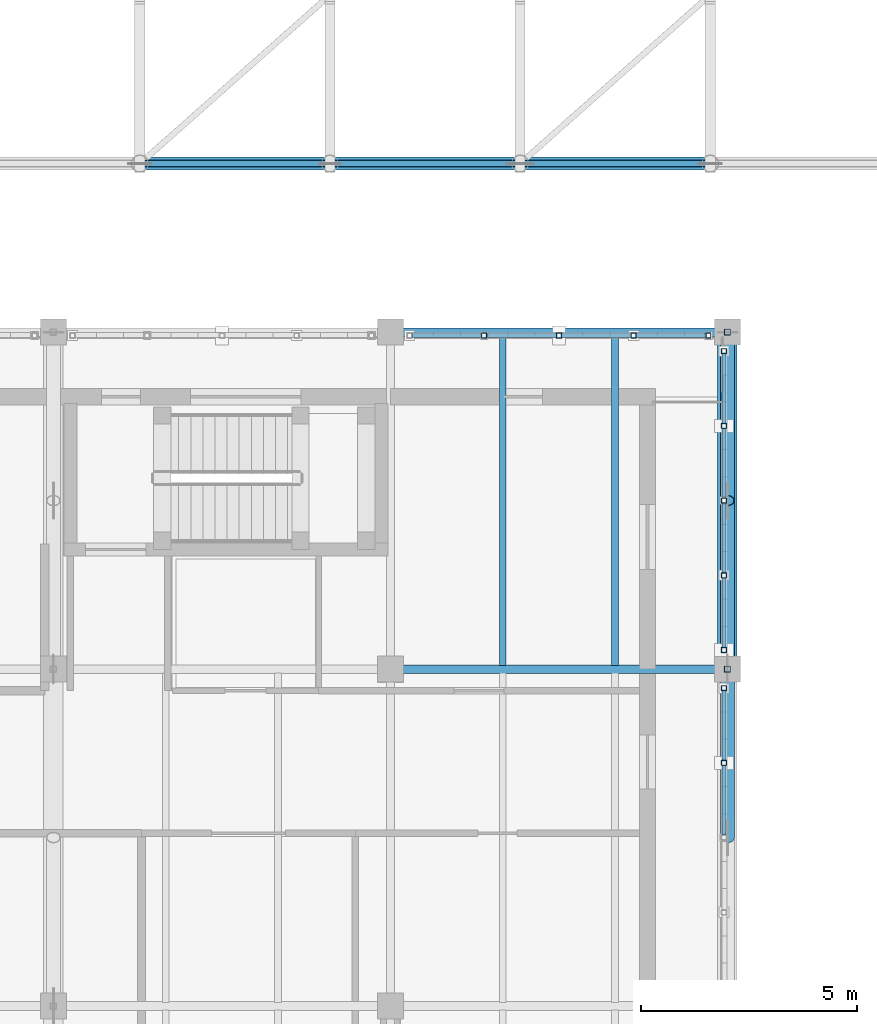
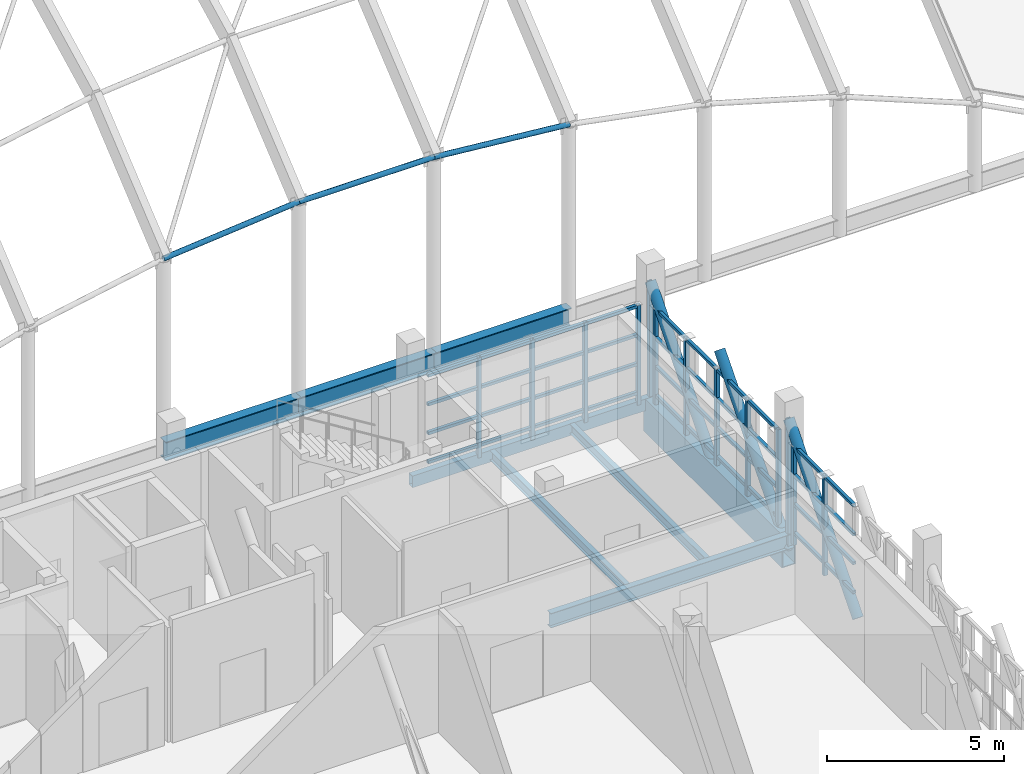
# One storey, part 44 of 119: 59 members, 8 beams.
"""IFC4 building model written with IfcOpenShell, lengths in metres."""

import ifcopenshell
import ifcopenshell.guid

model = None  # the IFC model being written
_history = None  # IfcOwnerHistory: only IFC2X3 demands one
_inside = {}  # id of a spatial element -> (the spatial element, [elements in it])
_under = {}  # id of a project, library or spatial element -> (it, [spatial elements below it])
_declared = {}  # id of a project -> (the project, [libraries it declares])
_typed = {}  # id of a type object -> (the type object, [elements of that type])
_made_of = {}  # id of a material, layer set ... -> (it, [elements and type objects made of it])


def new_model(schema):
    """Start an empty IFC model of exactly this schema.

    Asked for "IFC4X3", IfcOpenShell would pick the latest addendum, in which some entities
    have other attributes; the version numbers below select the first issue.
    IFC2X3 requires an IfcOwnerHistory on every rooted entity: one is made here for all.
    """
    global model, _history
    if schema == "IFC4X3":
        model = ifcopenshell.file(schema_version=(4, 3, 0, 0))
    else:
        model = ifcopenshell.file(schema=schema)
    _inside.clear()
    _under.clear()
    _declared.clear()
    _typed.clear()
    _made_of.clear()
    _history = None
    if model.schema == "IFC2X3":
        org = make("IfcOrganization", Name="unknown")
        user = make(
            "IfcPersonAndOrganization",
            ThePerson=make("IfcPerson", FamilyName="unknown"),
            TheOrganization=org,
        )
        app = make(
            "IfcApplication",
            ApplicationDeveloper=org,
            Version="unknown",
            ApplicationFullName="unknown",
            ApplicationIdentifier="unknown",
        )
        _history = make(
            "IfcOwnerHistory",
            OwningUser=user,
            OwningApplication=app,
            ChangeAction="ADDED",
            CreationDate=0,
        )
    return model


def make(cls, **values):
    """One entity of the class cls with the attributes given. An attribute that is None is left unset."""
    return model.create_entity(
        cls, **{name: value for name, value in values.items() if value is not None}
    )


def rooted(cls, **values):
    """An entity with a GlobalId (a new one), such as an element, a storey or a relation."""
    return make(cls, GlobalId=ifcopenshell.guid.new(), OwnerHistory=_history, **values)


def si_unit(unit_type, name, prefix=None):
    """IfcSIUnit, for example si_unit("LENGTHUNIT", "METRE", prefix="MILLI")."""
    return make("IfcSIUnit", UnitType=unit_type, Prefix=prefix, Name=name)


def assignment(units):
    """IfcUnitAssignment: the units of a project."""
    return None if units is None else make("IfcUnitAssignment", Units=units)


def point(xyz):
    """IfcCartesianPoint."""
    return None if xyz is None else make("IfcCartesianPoint", Coordinates=xyz)


def direction(xyz):
    """IfcDirection."""
    return None if xyz is None else make("IfcDirection", DirectionRatios=xyz)


def frame(location, z_axis=None, x_axis=None):
    """IfcAxis2Placement3D, a coordinate frame: its origin and axes. An axis left out is left unset."""
    return make(
        "IfcAxis2Placement3D",
        Location=point(location),
        Axis=direction(z_axis),
        RefDirection=direction(x_axis),
    )


def frame_2d(location, x_axis=None):
    """IfcAxis2Placement2D, a coordinate frame in the plane: its origin and x axis."""
    return make(
        "IfcAxis2Placement2D", Location=point(location), RefDirection=direction(x_axis)
    )


def origin():
    """The frame at (0, 0, 0) with its axes left unset."""
    return frame((0.0, 0.0, 0.0))


def origin_2d():
    """The frame at (0, 0) in the plane with its x axis left unset."""
    return frame_2d((0.0, 0.0))


def place(relative_to, where):
    """IfcLocalPlacement: puts the frame where relative to a parent placement (None: the world)."""
    return make(
        "IfcLocalPlacement", PlacementRelTo=relative_to, RelativePlacement=where
    )


def context(
    kind, dimensions, precision=None, world=None, true_north=None, identifier=None
):
    """IfcGeometricRepresentationContext, for example the 3D "Model" context."""
    return make(
        "IfcGeometricRepresentationContext",
        ContextIdentifier=identifier,
        ContextType=kind,
        CoordinateSpaceDimension=dimensions,
        Precision=precision,
        WorldCoordinateSystem=world,
        TrueNorth=true_north,
    )


def subcontext(parent, identifier, kind, view, scale=None):
    """IfcGeometricRepresentationSubContext, for example "Body" below "Model"."""
    return make(
        "IfcGeometricRepresentationSubContext",
        ContextIdentifier=identifier,
        ContextType=kind,
        ParentContext=parent,
        TargetScale=scale,
        TargetView=view,
    )


def project(units=None, contexts=None):
    """IfcProject with its units and contexts."""
    return rooted(
        "IfcProject",
        Name="project",
        RepresentationContexts=contexts,
        UnitsInContext=assignment(units),
    )


def spatial(cls, under=None, at=None, **own):
    """A site, building, storey or space (cls), placed at a placement, below another one or the project."""
    s = rooted(cls, ObjectPlacement=at, **own)
    if under is not None:
        _under.setdefault(under.id(), (under, []))[1].append(s)
    return s


def profile(cls, at=None, kind="AREA", **sizes):
    """A parametric profile (cls). Its sizes go by their IFC names, for example OverallWidth=200.0."""
    return make(cls, ProfileType=kind, Position=at, **sizes)


def hollow_rectangle(**sizes):
    """IfcRectangleHollowProfileDef."""
    return profile("IfcRectangleHollowProfileDef", **sizes)


def hollow_circle(**sizes):
    """IfcCircleHollowProfileDef."""
    return profile("IfcCircleHollowProfileDef", **sizes)


def i_section(**sizes):
    """IfcIShapeProfileDef."""
    return profile("IfcIShapeProfileDef", **sizes)


def extrude(swept, where, along, depth):
    """IfcExtrudedAreaSolid: the profile swept, set in the frame where, extruded along a direction by depth."""
    return make(
        "IfcExtrudedAreaSolid",
        SweptArea=swept,
        Position=where,
        ExtrudedDirection=direction(along),
        Depth=depth,
    )


def shape(context_of_items, identifier, shape_type, items):
    """IfcShapeRepresentation: the items that make up one representation, for example the "Body"."""
    return make(
        "IfcShapeRepresentation",
        ContextOfItems=context_of_items,
        RepresentationIdentifier=identifier,
        RepresentationType=shape_type,
        Items=items,
    )


def material(Name=None, Category=None):
    """IfcMaterial."""
    return make("IfcMaterial", Name=Name, Category=Category)


def material_profile(
    of_material, cross_section, Name=None, Category=None, Priority=None
):
    """IfcMaterialProfile: a cross section and its material."""
    return make(
        "IfcMaterialProfile",
        Name=Name,
        Material=of_material,
        Profile=cross_section,
        Priority=Priority,
        Category=Category,
    )


def profile_set(profiles, Name=None, composite=None):
    """IfcMaterialProfileSet."""
    return make(
        "IfcMaterialProfileSet",
        Name=Name,
        MaterialProfiles=profiles,
        CompositeProfile=composite,
    )


def made_of(thing, what):
    """Note that an element or type object is made of a material, layer set ...; save() writes the relation."""
    if what is not None:
        _made_of.setdefault(what.id(), (what, []))[1].append(thing)
    return thing


def type_object(cls, material=None, **own):
    """A type object (cls), such as IfcWallType, which elements share."""
    return made_of(rooted(cls, **own), material)


def element(
    cls,
    number,
    at=None,
    inside=None,
    cuts=None,
    type_object=None,
    material=None,
    context=None,
    identifier="Body",
    shape_type=None,
    held_by="IfcProductDefinitionShape",
    body=None,
    shapes=None,
    **own,
):
    """One element of the class cls, such as IfcWall. Its Tag is "e" and its number.

    at: its placement. inside: the storey or other place that contains it. cuts: it is an
    opening in that element (IfcRelVoidsElement). A single representation is given by context,
    identifier, shape_type and body (its items); several are given by shapes. held_by: the class
    of the entity that holds the representations. save() writes the other relations.
    """
    e = rooted(cls, Tag="e%d" % number, ObjectPlacement=at, **own)
    if body is not None:
        shapes = [shape(context, identifier, shape_type, body)]
    if shapes is not None:
        e.Representation = make(held_by, Representations=shapes)
    if inside is not None:
        _inside.setdefault(inside.id(), (inside, []))[1].append(e)
    if cuts is not None:
        rooted(
            "IfcRelVoidsElement", RelatingBuildingElement=cuts, RelatedOpeningElement=e
        )
    if type_object is not None:
        _typed.setdefault(type_object.id(), (type_object, []))[1].append(e)
    return made_of(e, material)


def aggregate(whole, parts):
    """IfcRelAggregates: a whole, such as a stair, and the parts it consists of."""
    return rooted("IfcRelAggregates", RelatingObject=whole, RelatedObjects=parts)


def save(model, path):
    """Write the relations noted so far, then the file.

    IfcRelAggregates (storeys below a building ...), IfcRelContainedInSpatialStructure (elements
    in a storey), IfcRelDefinesByType, IfcRelAssociatesMaterial and IfcRelDeclares: one each for
    every whole, place, type object, material and project.
    """
    for whole, parts in _under.values():
        aggregate(whole, parts)
    for where, things in _inside.values():
        rooted(
            "IfcRelContainedInSpatialStructure",
            RelatedElements=things,
            RelatingStructure=where,
        )
    for kind, things in _typed.values():
        rooted("IfcRelDefinesByType", RelatedObjects=things, RelatingType=kind)
    for what, things in _made_of.values():
        rooted("IfcRelAssociatesMaterial", RelatedObjects=things, RelatingMaterial=what)
    for by, libraries in _declared.values():
        rooted("IfcRelDeclares", RelatingContext=by, RelatedDefinitions=libraries)
    model.write(path)


model = new_model("IFC4")

# Units and contexts
model_context = context("Model", 3, precision=1e-05, world=origin(), true_north=direction((0.0, 1.0)))
body_context = subcontext(model_context, "Body", "Model", "MODEL_VIEW")
ifc_project = project(units=[si_unit("LENGTHUNIT", "METRE"), si_unit("AREAUNIT", "SQUARE_METRE"), si_unit("VOLUMEUNIT", "CUBIC_METRE"), si_unit("PLANEANGLEUNIT", "RADIAN"), si_unit("MASSUNIT", "GRAM", prefix="KILO")], contexts=[model_context])

# Site, building, storey
site_placement = place(None, origin())
site = spatial("IfcSite", under=ifc_project, at=site_placement, CompositionType="ELEMENT")
building_placement = place(site_placement, origin())
building = spatial("IfcBuilding", under=site, at=building_placement, Name="Celorna Specialist Clinic", CompositionType="ELEMENT")
storey_placement = place(building_placement, frame((0.0, 0.0, 9.60009765625)))
storey = spatial("IfcBuildingStorey", under=building, at=storey_placement, Name="L02", CompositionType="ELEMENT", Elevation=9.60009765625)

# Beams
ifc_material = material(Name="Steel S355", Category="steel")
ifc_material_profile_1 = material_profile(ifc_material, hollow_rectangle(XDim=0.449951171875, YDim=1.14990234375, WallThickness=0.031982421875, at=origin_2d()), Name="BOX 450x1150x32")
ifc_profile_set_1 = profile_set([ifc_material_profile_1], Name="Steel S355")
beam_type_1 = type_object("IfcBeamType", Name="BM-01", PredefinedType="BEAM", material=ifc_profile_set_1)
beam_1_placement = place(storey_placement, frame((85.800048828125, 35.10009765625, -0.835205078125), z_axis=(0.0, 1.0, 0.0), x_axis=(-1.0, 0.0, 0.0)))
element("IfcBeam", 1, at=beam_1_placement, inside=storey, type_object=beam_type_1, Name="Cantilever Pratt truss chord WP-068-WP-069", PredefinedType="BEAM", context=body_context, shape_type="SweptSolid", body=[
    extrude(hollow_rectangle(XDim=0.449951171875, YDim=1.14990234375, WallThickness=0.031982421875, at=origin_2d()), origin(), (0.0, 0.0, 1.0), 7.7998046875),
])
ifc_material_profile_2 = material_profile(ifc_material, i_section(OverallWidth=0.300048828125, OverallDepth=0.64990234375, WebThickness=0.01611328125, FlangeThickness=0.031005859375, at=origin_2d()), Name="HE 650 B")
ifc_profile_set_2 = profile_set([ifc_material_profile_2], Name="Steel S355")
beam_type_2 = type_object("IfcBeamType", Name="BM-03", PredefinedType="BEAM", material=ifc_profile_set_2)
beam_2_placement = place(storey_placement, frame((72.199951171875, 46.800048828125, 0.27490234375), z_axis=(1.0, 0.0, 0.0), x_axis=(0.0, 1.0, 0.0)))
element("IfcBeam", 2, at=beam_2_placement, inside=storey, type_object=beam_type_2, Name="GSH-V1 gridshell perimeter edge ring beam", PredefinedType="BEAM", context=body_context, shape_type="SweptSolid", body=[
    extrude(i_section(OverallWidth=0.300048828125, OverallDepth=0.64990234375, WebThickness=0.01611328125, FlangeThickness=0.031005859375, at=origin_2d()), origin(), (0.0, 0.0, 1.0), 4.400146484375),
])
for number, where, z_axis, x_axis, name in (
    (3, (76.60009765625, 46.800048828125, 0.27490234375), (1.0, 0.0, 0.0), (0.0, 1.0, 0.0), "GSH-V1 gridshell perimeter edge ring beam"),
    (4, (81.0, 46.800048828125, 0.27490234375), (1.0, 0.0, 0.0), (0.0, 1.0, 0.0), "GSH-V1 gridshell perimeter edge ring beam"),
):
    element("IfcBeam", number, at=place(storey_placement, frame(where, z_axis=z_axis, x_axis=x_axis)), inside=storey, type_object=beam_type_2, Name=name, PredefinedType="BEAM", context=body_context, shape_type="SweptSolid", body=[
        extrude(i_section(OverallWidth=0.300048828125, OverallDepth=0.64990234375, WebThickness=0.01611328125, FlangeThickness=0.031005859375, at=origin_2d()), origin(), (0.0, 0.0, 1.0), 4.39990234375),
    ])
ifc_material_profile_3 = material_profile(ifc_material, i_section(OverallWidth=0.199951171875, OverallDepth=0.5, WebThickness=0.01025390625, FlangeThickness=0.01611328125, at=origin_2d()), Name="IPE 500")
ifc_profile_set_3 = profile_set([ifc_material_profile_3], Name="Steel S355")
beam_type_3 = type_object("IfcBeamType", Name="BM-08", PredefinedType="BEAM", material=ifc_profile_set_3)
beam_3_placement = place(storey_placement, frame((78.0, 35.10009765625, -0.510009765625), z_axis=(1.0, 0.0, 0.0), x_axis=(0.0, 1.0, 0.0)))
element("IfcBeam", 5, at=beam_3_placement, inside=storey, type_object=beam_type_3, Name="Primary girder BM-08 #2120", PredefinedType="BEAM", context=body_context, shape_type="SweptSolid", body=[
    extrude(i_section(OverallWidth=0.199951171875, OverallDepth=0.5, WebThickness=0.01025390625, FlangeThickness=0.01611328125, at=origin_2d()), origin(), (0.0, 0.0, 1.0), 7.800048828125),
])
ifc_material_profile_4 = material_profile(ifc_material, i_section(OverallWidth=0.159912109375, OverallDepth=0.330078125, WebThickness=0.007568359375, FlangeThickness=0.011474609375, at=origin_2d()), Name="IPE 330")
ifc_profile_set_4 = profile_set([ifc_material_profile_4], Name="Steel S355")
beam_type_4 = type_object("IfcBeamType", Name="BM-12", PredefinedType="JOIST", material=ifc_profile_set_4)
for number, where, z_axis, x_axis, name in (
    (6, (80.60009765625, 35.18798828125, -0.425048828125), (0.0, 1.0, 0.0), (-1.0, 0.0, 0.0), "Secondary floor joist BM-12 #2158"),
    (7, (83.199951171875, 35.18798828125, -0.425048828125), (0.0, 1.0, 0.0), (-1.0, 0.0, 0.0), "Secondary floor joist BM-12 #2159"),
):
    element("IfcBeam", number, at=place(storey_placement, frame(where, z_axis=z_axis, x_axis=x_axis)), inside=storey, type_object=beam_type_4, Name=name, PredefinedType="JOIST", context=body_context, shape_type="SweptSolid", body=[
        extrude(i_section(OverallWidth=0.159912109375, OverallDepth=0.330078125, WebThickness=0.007568359375, FlangeThickness=0.011474609375, at=origin_2d()), origin(), (0.0, 0.0, 1.0), 7.6240234375),
    ])
ifc_material_profile_5 = material_profile(ifc_material, hollow_rectangle(XDim=0.199951171875, YDim=0.39990234375, WallThickness=0.011962890625, at=origin_2d()), Name="RHS 200x400x12")
ifc_profile_set_5 = profile_set([ifc_material_profile_5], Name="Steel S355")
beam_type_5 = type_object("IfcBeamType", Name="BM-15", PredefinedType="SPANDREL", material=ifc_profile_set_5)
beam_4_placement = place(storey_placement, frame((78.0, 42.89990234375, -0.460205078125), z_axis=(1.0, 0.0, 0.0), x_axis=(0.0, 1.0, 0.0)))
element("IfcBeam", 8, at=beam_4_placement, inside=storey, type_object=beam_type_5, Name="Spandrel beam BM-15 #2124", PredefinedType="SPANDREL", context=body_context, shape_type="SweptSolid", body=[
    extrude(hollow_rectangle(XDim=0.199951171875, YDim=0.39990234375, WallThickness=0.011962890625, at=origin_2d()), origin(), (0.0, 0.0, 1.0), 7.800048828125),
])

# Members
ifc_material_profile_6 = material_profile(ifc_material, hollow_circle(Radius=0.084228515625, WallThickness=0.010009765625, at=origin_2d()), Name="CHS 168.3x10")
ifc_profile_set_6 = profile_set([ifc_material_profile_6], Name="Steel S355")
member_type_1 = type_object("IfcMemberType", Name="MB-03", PredefinedType="PURLIN", material=ifc_profile_set_6)
member_1_placement = place(storey_placement, frame((72.199951171875, 46.800048828125, 6.830078125), z_axis=(0.995617043189, 0.0, 0.09352381147), x_axis=(0.0, 1.0, 0.0)))
element("IfcMember", 9, at=member_1_placement, inside=storey, type_object=member_type_1, Name="GSH-V1 gridshell edge arch chord WP-129-WP-130", PredefinedType="PURLIN", context=body_context, shape_type="SweptSolid", body=[
    extrude(hollow_circle(Radius=0.084228515625, WallThickness=0.010009765625, at=origin_2d()), origin(), (0.0, 0.0, 1.0), 4.41943359375),
])
member_2_placement = place(storey_placement, frame((76.60009765625, 46.800048828125, 7.243408203125), z_axis=(1.0, 0.0, 0.0), x_axis=(0.0, 1.0, 0.0)))
element("IfcMember", 10, at=member_2_placement, inside=storey, type_object=member_type_1, Name="GSH-V1 gridshell edge arch chord WP-130-WP-131", PredefinedType="PURLIN", context=body_context, shape_type="SweptSolid", body=[
    extrude(hollow_circle(Radius=0.084228515625, WallThickness=0.010009765625, at=origin_2d()), origin(), (0.0, 0.0, 1.0), 4.39990234375),
])
member_3_placement = place(storey_placement, frame((81.0, 46.800048828125, 7.243408203125), z_axis=(0.995616559968, 0.0, -0.0935289555), x_axis=(0.0, 1.0, 0.0)))
element("IfcMember", 11, at=member_3_placement, inside=storey, type_object=member_type_1, Name="GSH-V1 gridshell edge arch chord WP-131-WP-132", PredefinedType="PURLIN", context=body_context, shape_type="SweptSolid", body=[
    extrude(hollow_circle(Radius=0.084228515625, WallThickness=0.010009765625, at=origin_2d()), origin(), (0.0, 0.0, 1.0), 4.419189453125),
])
ifc_material_profile_7 = material_profile(ifc_material, hollow_circle(Radius=0.161865234375, WallThickness=0.01611328125, at=origin_2d()), Name="CHS 323.9x16")
ifc_profile_set_7 = profile_set([ifc_material_profile_7], Name="Steel S355")
member_type_2 = type_object("IfcMemberType", Name="MB-05", PredefinedType="BRACE", material=ifc_profile_set_7)
for number, where, z_axis, x_axis, name in (
    (12, (85.800048828125, 31.199951171875, -0.835205078125), (0.0, 0.654944585876, 0.755676908098), (-1.0, 0.0, 0.0), "Cantilever Pratt truss web diagonal WP-089-WP-073"),
    (13, (85.800048828125, 35.10009765625, -0.835205078125), (0.0, 0.654921173069, 0.755697199324), (-1.0, 0.0, 0.0), "Cantilever Pratt truss web diagonal WP-068-WP-090"),
    (14, (85.800048828125, 39.0, -0.835205078125), (0.0, 0.654921173069, 0.755697199324), (-1.0, 0.0, 0.0), "Cantilever Pratt truss web diagonal WP-091-WP-074"),
):
    element("IfcMember", number, at=place(storey_placement, frame(where, z_axis=z_axis, x_axis=x_axis)), inside=storey, type_object=member_type_2, Name=name, PredefinedType="BRACE", context=body_context, shape_type="SweptSolid", body=[
        extrude(hollow_circle(Radius=0.161865234375, WallThickness=0.01611328125, at=origin_2d()), origin(), (0.0, 0.0, 1.0), 5.954833984375),
    ])
ifc_material_profile_8 = material_profile(ifc_material, hollow_rectangle(XDim=0.139892578125, YDim=0.139892578125, WallThickness=0.008056640625, at=origin_2d()), Name="SHS 140x140x8")
ifc_profile_set_8 = profile_set([ifc_material_profile_8], Name="Steel S355")
member_type_3 = type_object("IfcMemberType", Name="MB-10", PredefinedType="CHORD", material=ifc_profile_set_8)
for number, where, z_axis, x_axis, name in (
    (15, (85.800048828125, 35.10009765625, -0.835205078125), (0.0, 0.0, 1.0), (1.0, 0.0, 0.0), "Cantilever Pratt truss vertical post WP-068-WP-073"),
    (16, (85.800048828125, 42.89990234375, -0.835205078125), (0.0, 0.0, 1.0), (1.0, 0.0, 0.0), "Cantilever Pratt truss vertical post WP-069-WP-074"),
):
    element("IfcMember", number, at=place(storey_placement, frame(where, z_axis=z_axis, x_axis=x_axis)), inside=storey, type_object=member_type_3, Name=name, PredefinedType="CHORD", context=body_context, shape_type="SweptSolid", body=[
        extrude(hollow_rectangle(XDim=0.139892578125, YDim=0.139892578125, WallThickness=0.008056640625, at=origin_2d()), origin(), (0.0, 0.0, 1.0), 4.5),
    ])
ifc_material_profile_9 = material_profile(ifc_material, hollow_rectangle(XDim=0.1201171875, YDim=0.1201171875, WallThickness=0.008056640625, at=origin_2d()), Name="SHS 120x120x8")
ifc_profile_set_9 = profile_set([ifc_material_profile_9], Name="Steel S355")
member_type_4 = type_object("IfcMemberType", Name="MB-11", PredefinedType="STUD", material=ifc_profile_set_9)
for number, where, z_axis, x_axis, name in (
    (17, (85.719970703125, 32.929931640625, -0.360107421875), (0.0, 0.0, 1.0), (1.0, 0.0, 0.0), "Perforated screen steel post #406"),
    (18, (85.719970703125, 34.659912109375, -0.360107421875), (0.0, 0.0, 1.0), (1.0, 0.0, 0.0), "Perforated screen steel post #407"),
    (19, (85.719970703125, 35.5400390625, -0.360107421875), (0.0, 0.0, 1.0), (1.0, 0.0, 0.0), "Perforated screen steel post #424"),
    (20, (85.719970703125, 37.27001953125, -0.360107421875), (0.0, 0.0, 1.0), (1.0, 0.0, 0.0), "Perforated screen steel post #425"),
    (21, (85.719970703125, 39.0, -0.360107421875), (0.0, 0.0, 1.0), (1.0, 0.0, 0.0), "Perforated screen steel post #426"),
    (22, (85.719970703125, 40.72998046875, -0.360107421875), (0.0, 0.0, 1.0), (1.0, 0.0, 0.0), "Perforated screen steel post #427"),
    (23, (85.719970703125, 42.4599609375, -0.360107421875), (0.0, 0.0, 1.0), (1.0, 0.0, 0.0), "Perforated screen steel post #428"),
    (24, (80.169921875, 42.820068359375, -0.360107421875), (0.0, 0.0, 1.0), (1.0, 0.0, 0.0), "Perforated screen steel post #603"),
    (25, (81.89990234375, 42.820068359375, -0.360107421875), (0.0, 0.0, 1.0), (1.0, 0.0, 0.0), "Perforated screen steel post #604"),
    (26, (83.6298828125, 42.820068359375, -0.360107421875), (0.0, 0.0, 1.0), (1.0, 0.0, 0.0), "Perforated screen steel post #605"),
    (27, (85.360107421875, 42.820068359375, -0.360107421875), (0.0, 0.0, 1.0), (1.0, 0.0, 0.0), "Perforated screen steel post #606"),
):
    element("IfcMember", number, at=place(storey_placement, frame(where, z_axis=z_axis, x_axis=x_axis)), inside=storey, type_object=member_type_4, Name=name, PredefinedType="STUD", context=body_context, shape_type="SweptSolid", body=[
        extrude(hollow_rectangle(XDim=0.1201171875, YDim=0.1201171875, WallThickness=0.008056640625, at=origin_2d()), origin(), (0.0, 0.0, 1.0), 3.43994140625),
    ])
ifc_material_profile_10 = material_profile(ifc_material, hollow_rectangle(XDim=0.10009765625, YDim=0.10009765625, WallThickness=0.006103515625, at=origin_2d()), Name="SHS 100x100x6")
ifc_profile_set_10 = profile_set([ifc_material_profile_10], Name="Steel S355")
member_type_5 = type_object("IfcMemberType", Name="MB-12", PredefinedType="STUD", material=ifc_profile_set_10)
for number, where, z_axis, x_axis, name in (
    (28, (85.719970703125, 31.260009765625, 0.0498046875), (0.0, 1.0, 0.0), (-1.0, 0.0, 0.0), "Perforated screen rail #416"),
    (29, (85.719970703125, 31.260009765625, 1.043212890625), (0.0, 1.0, 0.0), (-1.0, 0.0, 0.0), "Perforated screen rail #417"),
    (30, (85.719970703125, 31.260009765625, 2.03662109375), (0.0, 1.0, 0.0), (-1.0, 0.0, 0.0), "Perforated screen rail #418"),
    (31, (85.719970703125, 31.260009765625, 3.02978515625), (0.0, 1.0, 0.0), (-1.0, 0.0, 0.0), "Perforated screen rail #419"),
    (32, (85.719970703125, 32.989990234375, 0.0498046875), (0.0, 1.0, 0.0), (-1.0, 0.0, 0.0), "Perforated screen rail #420"),
    (33, (85.719970703125, 32.989990234375, 1.043212890625), (0.0, 1.0, 0.0), (-1.0, 0.0, 0.0), "Perforated screen rail #421"),
    (34, (85.719970703125, 32.989990234375, 2.03662109375), (0.0, 1.0, 0.0), (-1.0, 0.0, 0.0), "Perforated screen rail #422"),
    (35, (85.719970703125, 32.989990234375, 3.02978515625), (0.0, 1.0, 0.0), (-1.0, 0.0, 0.0), "Perforated screen rail #423"),
):
    element("IfcMember", number, at=place(storey_placement, frame(where, z_axis=z_axis, x_axis=x_axis)), inside=storey, type_object=member_type_5, Name=name, PredefinedType="STUD", context=body_context, shape_type="SweptSolid", body=[
        extrude(hollow_rectangle(XDim=0.10009765625, YDim=0.10009765625, WallThickness=0.006103515625, at=origin_2d()), origin(), (0.0, 0.0, 1.0), 1.610107421875),
    ])
for number, where, z_axis, x_axis, name in (
    (36, (85.719970703125, 35.60009765625, 0.0498046875), (0.0, 1.0, 0.0), (-1.0, 0.0, 0.0), "Perforated screen rail #429"),
    (37, (85.719970703125, 35.60009765625, 1.043212890625), (0.0, 1.0, 0.0), (-1.0, 0.0, 0.0), "Perforated screen rail #430"),
    (38, (85.719970703125, 35.60009765625, 2.03662109375), (0.0, 1.0, 0.0), (-1.0, 0.0, 0.0), "Perforated screen rail #431"),
    (39, (85.719970703125, 35.60009765625, 3.02978515625), (0.0, 1.0, 0.0), (-1.0, 0.0, 0.0), "Perforated screen rail #432"),
    (40, (85.719970703125, 37.330078125, 0.0498046875), (0.0, 1.0, 0.0), (-1.0, 0.0, 0.0), "Perforated screen rail #433"),
    (41, (85.719970703125, 37.330078125, 1.043212890625), (0.0, 1.0, 0.0), (-1.0, 0.0, 0.0), "Perforated screen rail #434"),
    (42, (85.719970703125, 37.330078125, 2.03662109375), (0.0, 1.0, 0.0), (-1.0, 0.0, 0.0), "Perforated screen rail #435"),
    (43, (85.719970703125, 37.330078125, 3.02978515625), (0.0, 1.0, 0.0), (-1.0, 0.0, 0.0), "Perforated screen rail #436"),
    (44, (85.719970703125, 39.06005859375, 0.0498046875), (0.0, 1.0, 0.0), (-1.0, 0.0, 0.0), "Perforated screen rail #437"),
    (45, (85.719970703125, 39.06005859375, 1.043212890625), (0.0, 1.0, 0.0), (-1.0, 0.0, 0.0), "Perforated screen rail #438"),
    (46, (85.719970703125, 39.06005859375, 2.03662109375), (0.0, 1.0, 0.0), (-1.0, 0.0, 0.0), "Perforated screen rail #439"),
    (47, (85.719970703125, 39.06005859375, 3.02978515625), (0.0, 1.0, 0.0), (-1.0, 0.0, 0.0), "Perforated screen rail #440"),
    (48, (85.719970703125, 40.7900390625, 0.0498046875), (0.0, 1.0, 0.0), (-1.0, 0.0, 0.0), "Perforated screen rail #441"),
    (49, (85.719970703125, 40.7900390625, 1.043212890625), (0.0, 1.0, 0.0), (-1.0, 0.0, 0.0), "Perforated screen rail #442"),
    (50, (85.719970703125, 40.7900390625, 2.03662109375), (0.0, 1.0, 0.0), (-1.0, 0.0, 0.0), "Perforated screen rail #443"),
    (51, (85.719970703125, 40.7900390625, 3.02978515625), (0.0, 1.0, 0.0), (-1.0, 0.0, 0.0), "Perforated screen rail #444"),
):
    element("IfcMember", number, at=place(storey_placement, frame(where, z_axis=z_axis, x_axis=x_axis)), inside=storey, type_object=member_type_5, Name=name, PredefinedType="STUD", context=body_context, shape_type="SweptSolid", body=[
        extrude(hollow_rectangle(XDim=0.10009765625, YDim=0.10009765625, WallThickness=0.006103515625, at=origin_2d()), origin(), (0.0, 0.0, 1.0), 1.60986328125),
    ])
for number, where, z_axis, x_axis, name in (
    (52, (78.5, 42.820068359375, 0.0498046875), (1.0, 0.0, 0.0), (0.0, 1.0, 0.0), "Perforated screen rail #607"),
    (53, (78.5, 42.820068359375, 1.043212890625), (1.0, 0.0, 0.0), (0.0, 1.0, 0.0), "Perforated screen rail #608"),
    (54, (78.5, 42.820068359375, 2.03662109375), (1.0, 0.0, 0.0), (0.0, 1.0, 0.0), "Perforated screen rail #609"),
    (55, (78.5, 42.820068359375, 3.02978515625), (1.0, 0.0, 0.0), (0.0, 1.0, 0.0), "Perforated screen rail #610"),
    (56, (80.22998046875, 42.820068359375, 0.0498046875), (1.0, 0.0, 0.0), (0.0, 1.0, 0.0), "Perforated screen rail #611"),
    (57, (80.22998046875, 42.820068359375, 1.043212890625), (1.0, 0.0, 0.0), (0.0, 1.0, 0.0), "Perforated screen rail #612"),
    (58, (80.22998046875, 42.820068359375, 2.03662109375), (1.0, 0.0, 0.0), (0.0, 1.0, 0.0), "Perforated screen rail #613"),
    (59, (80.22998046875, 42.820068359375, 3.02978515625), (1.0, 0.0, 0.0), (0.0, 1.0, 0.0), "Perforated screen rail #614"),
    (60, (81.9599609375, 42.820068359375, 0.0498046875), (1.0, 0.0, 0.0), (0.0, 1.0, 0.0), "Perforated screen rail #615"),
    (61, (81.9599609375, 42.820068359375, 1.043212890625), (1.0, 0.0, 0.0), (0.0, 1.0, 0.0), "Perforated screen rail #616"),
    (62, (81.9599609375, 42.820068359375, 2.03662109375), (1.0, 0.0, 0.0), (0.0, 1.0, 0.0), "Perforated screen rail #617"),
    (63, (81.9599609375, 42.820068359375, 3.02978515625), (1.0, 0.0, 0.0), (0.0, 1.0, 0.0), "Perforated screen rail #618"),
    (64, (83.68994140625, 42.820068359375, 0.0498046875), (1.0, 0.0, 0.0), (0.0, 1.0, 0.0), "Perforated screen rail #619"),
    (65, (83.68994140625, 42.820068359375, 1.043212890625), (1.0, 0.0, 0.0), (0.0, 1.0, 0.0), "Perforated screen rail #620"),
    (66, (83.68994140625, 42.820068359375, 2.03662109375), (1.0, 0.0, 0.0), (0.0, 1.0, 0.0), "Perforated screen rail #621"),
    (67, (83.68994140625, 42.820068359375, 3.02978515625), (1.0, 0.0, 0.0), (0.0, 1.0, 0.0), "Perforated screen rail #622"),
):
    element("IfcMember", number, at=place(storey_placement, frame(where, z_axis=z_axis, x_axis=x_axis)), inside=storey, type_object=member_type_5, Name=name, PredefinedType="STUD", context=body_context, shape_type="SweptSolid", body=[
        extrude(hollow_rectangle(XDim=0.10009765625, YDim=0.10009765625, WallThickness=0.006103515625, at=origin_2d()), origin(), (0.0, 0.0, 1.0), 1.610107421875),
    ])

save(model, "model.ifc")
